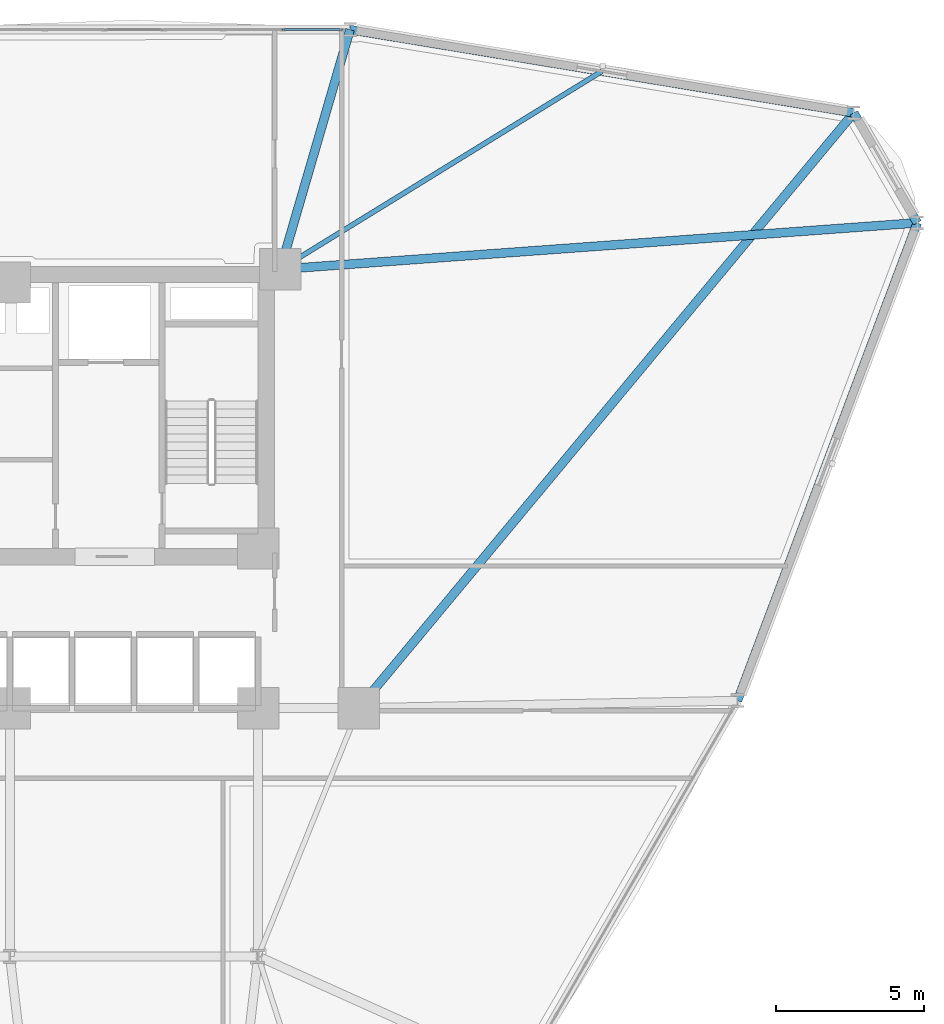
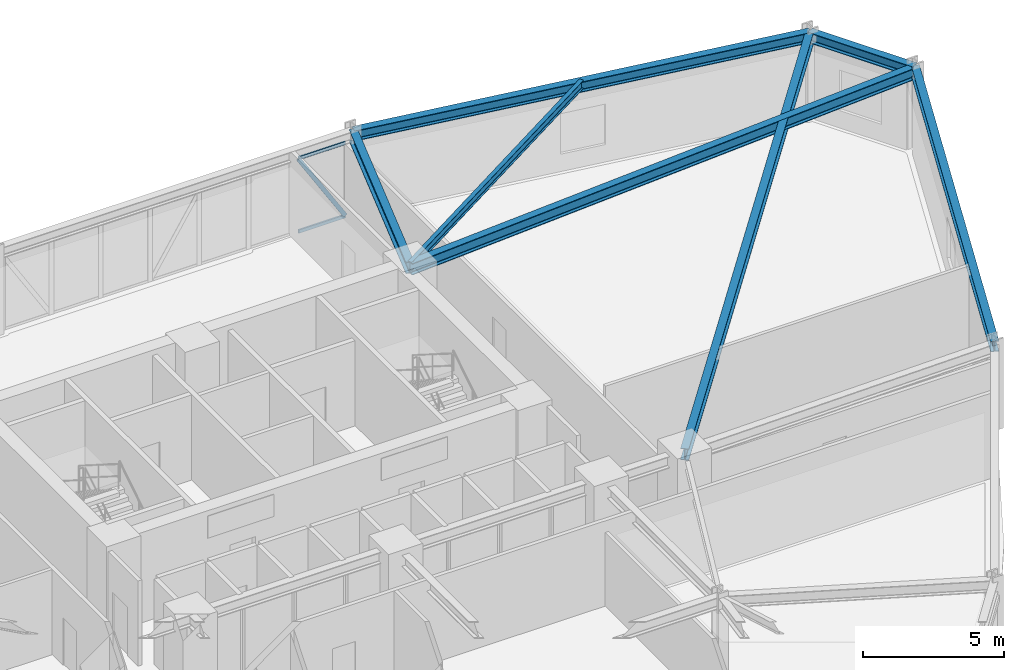
# One storey, part 11 of 20: 7 beams, 3 members, 1 element without a shape of its own.
"""IFC4 building model written with IfcOpenShell, lengths in metres."""

import ifcopenshell
import ifcopenshell.guid

model = None  # the IFC model being written
_history = None  # IfcOwnerHistory: only IFC2X3 demands one
_inside = {}  # id of a spatial element -> (the spatial element, [elements in it])
_under = {}  # id of a project, library or spatial element -> (it, [spatial elements below it])
_declared = {}  # id of a project -> (the project, [libraries it declares])
_typed = {}  # id of a type object -> (the type object, [elements of that type])
_made_of = {}  # id of a material, layer set ... -> (it, [elements and type objects made of it])


def new_model(schema):
    """Start an empty IFC model of exactly this schema.

    Asked for "IFC4X3", IfcOpenShell would pick the latest addendum, in which some entities
    have other attributes; the version numbers below select the first issue.
    IFC2X3 requires an IfcOwnerHistory on every rooted entity: one is made here for all.
    """
    global model, _history
    if schema == "IFC4X3":
        model = ifcopenshell.file(schema_version=(4, 3, 0, 0))
    else:
        model = ifcopenshell.file(schema=schema)
    _inside.clear()
    _under.clear()
    _declared.clear()
    _typed.clear()
    _made_of.clear()
    _history = None
    if model.schema == "IFC2X3":
        org = make("IfcOrganization", Name="unknown")
        user = make(
            "IfcPersonAndOrganization",
            ThePerson=make("IfcPerson", FamilyName="unknown"),
            TheOrganization=org,
        )
        app = make(
            "IfcApplication",
            ApplicationDeveloper=org,
            Version="unknown",
            ApplicationFullName="unknown",
            ApplicationIdentifier="unknown",
        )
        _history = make(
            "IfcOwnerHistory",
            OwningUser=user,
            OwningApplication=app,
            ChangeAction="ADDED",
            CreationDate=0,
        )
    return model


def make(cls, **values):
    """One entity of the class cls with the attributes given. An attribute that is None is left unset."""
    return model.create_entity(
        cls, **{name: value for name, value in values.items() if value is not None}
    )


def rooted(cls, **values):
    """An entity with a GlobalId (a new one), such as an element, a storey or a relation."""
    return make(cls, GlobalId=ifcopenshell.guid.new(), OwnerHistory=_history, **values)


def si_unit(unit_type, name, prefix=None):
    """IfcSIUnit, for example si_unit("LENGTHUNIT", "METRE", prefix="MILLI")."""
    return make("IfcSIUnit", UnitType=unit_type, Prefix=prefix, Name=name)


def derived_unit(unit_type, elements):
    """IfcDerivedUnit: a product of units, each with its exponent."""
    return make(
        "IfcDerivedUnit",
        Elements=[
            make("IfcDerivedUnitElement", Unit=unit, Exponent=power)
            for unit, power in elements
        ],
        UnitType=unit_type,
    )


def assignment(units):
    """IfcUnitAssignment: the units of a project."""
    return None if units is None else make("IfcUnitAssignment", Units=units)


def point(xyz):
    """IfcCartesianPoint."""
    return None if xyz is None else make("IfcCartesianPoint", Coordinates=xyz)


def direction(xyz):
    """IfcDirection."""
    return None if xyz is None else make("IfcDirection", DirectionRatios=xyz)


def frame(location, z_axis=None, x_axis=None):
    """IfcAxis2Placement3D, a coordinate frame: its origin and axes. An axis left out is left unset."""
    return make(
        "IfcAxis2Placement3D",
        Location=point(location),
        Axis=direction(z_axis),
        RefDirection=direction(x_axis),
    )


def frame_2d(location, x_axis=None):
    """IfcAxis2Placement2D, a coordinate frame in the plane: its origin and x axis."""
    return make(
        "IfcAxis2Placement2D", Location=point(location), RefDirection=direction(x_axis)
    )


def origin():
    """The frame at (0, 0, 0) with its axes left unset."""
    return frame((0.0, 0.0, 0.0))


def origin_2d():
    """The frame at (0, 0) in the plane with its x axis left unset."""
    return frame_2d((0.0, 0.0))


def place(relative_to, where):
    """IfcLocalPlacement: puts the frame where relative to a parent placement (None: the world)."""
    return make(
        "IfcLocalPlacement", PlacementRelTo=relative_to, RelativePlacement=where
    )


def context(
    kind, dimensions, precision=None, world=None, true_north=None, identifier=None
):
    """IfcGeometricRepresentationContext, for example the 3D "Model" context."""
    return make(
        "IfcGeometricRepresentationContext",
        ContextIdentifier=identifier,
        ContextType=kind,
        CoordinateSpaceDimension=dimensions,
        Precision=precision,
        WorldCoordinateSystem=world,
        TrueNorth=true_north,
    )


def subcontext(parent, identifier, kind, view, scale=None):
    """IfcGeometricRepresentationSubContext, for example "Body" below "Model"."""
    return make(
        "IfcGeometricRepresentationSubContext",
        ContextIdentifier=identifier,
        ContextType=kind,
        ParentContext=parent,
        TargetScale=scale,
        TargetView=view,
    )


def project(units=None, contexts=None):
    """IfcProject with its units and contexts."""
    return rooted(
        "IfcProject",
        Name="project",
        RepresentationContexts=contexts,
        UnitsInContext=assignment(units),
    )


def spatial(cls, under=None, at=None, **own):
    """A site, building, storey or space (cls), placed at a placement, below another one or the project."""
    s = rooted(cls, ObjectPlacement=at, **own)
    if under is not None:
        _under.setdefault(under.id(), (under, []))[1].append(s)
    return s


def profile(cls, at=None, kind="AREA", **sizes):
    """A parametric profile (cls). Its sizes go by their IFC names, for example OverallWidth=200.0."""
    return make(cls, ProfileType=kind, Position=at, **sizes)


def hollow_rectangle(**sizes):
    """IfcRectangleHollowProfileDef."""
    return profile("IfcRectangleHollowProfileDef", **sizes)


def i_section(**sizes):
    """IfcIShapeProfileDef."""
    return profile("IfcIShapeProfileDef", **sizes)


def extrude(swept, where, along, depth):
    """IfcExtrudedAreaSolid: the profile swept, set in the frame where, extruded along a direction by depth."""
    return make(
        "IfcExtrudedAreaSolid",
        SweptArea=swept,
        Position=where,
        ExtrudedDirection=direction(along),
        Depth=depth,
    )


def shape(context_of_items, identifier, shape_type, items):
    """IfcShapeRepresentation: the items that make up one representation, for example the "Body"."""
    return make(
        "IfcShapeRepresentation",
        ContextOfItems=context_of_items,
        RepresentationIdentifier=identifier,
        RepresentationType=shape_type,
        Items=items,
    )


def source(mapping_origin, context_of_items, identifier, shape_type, items):
    """IfcRepresentationMap: a shape defined once, which mapped items show again and again."""
    return make(
        "IfcRepresentationMap",
        MappingOrigin=mapping_origin,
        MappedRepresentation=shape(context_of_items, identifier, shape_type, items),
    )


def transform(
    local_origin,
    x_axis=None,
    y_axis=None,
    z_axis=None,
    scale=None,
    scale2=None,
    scale3=None,
    uniform=True,
):
    """IfcCartesianTransformationOperator3D, or its non-uniform kind. x_axis, y_axis, z_axis: its Axis1, 2, 3."""
    if uniform:
        return make(
            "IfcCartesianTransformationOperator3D",
            Axis1=direction(x_axis),
            Axis2=direction(y_axis),
            LocalOrigin=point(local_origin),
            Scale=scale,
            Axis3=direction(z_axis),
        )
    return make(
        "IfcCartesianTransformationOperator3DnonUniform",
        Axis1=direction(x_axis),
        Axis2=direction(y_axis),
        LocalOrigin=point(local_origin),
        Scale=scale,
        Axis3=direction(z_axis),
        Scale2=scale2,
        Scale3=scale3,
    )


def mapped(mapping_source, mapping_target):
    """IfcMappedItem: shows the shape of a source again, moved by a transform."""
    return make(
        "IfcMappedItem", MappingSource=mapping_source, MappingTarget=mapping_target
    )


def material(Name=None, Category=None):
    """IfcMaterial."""
    return make("IfcMaterial", Name=Name, Category=Category)


def layer(
    of_material, thickness, ventilated=None, Name=None, Category=None, Priority=None
):
    """IfcMaterialLayer: one layer of a wall or slab, of a material (None: an air gap)."""
    return make(
        "IfcMaterialLayer",
        Material=of_material,
        LayerThickness=thickness,
        IsVentilated=ventilated,
        Name=Name,
        Category=Category,
        Priority=Priority,
    )


def layer_set(layers, Name=None):
    """IfcMaterialLayerSet."""
    return make("IfcMaterialLayerSet", MaterialLayers=layers, LayerSetName=Name)


def material_profile(
    of_material, cross_section, Name=None, Category=None, Priority=None
):
    """IfcMaterialProfile: a cross section and its material."""
    return make(
        "IfcMaterialProfile",
        Name=Name,
        Material=of_material,
        Profile=cross_section,
        Priority=Priority,
        Category=Category,
    )


def profile_set(profiles, Name=None, composite=None):
    """IfcMaterialProfileSet."""
    return make(
        "IfcMaterialProfileSet",
        Name=Name,
        MaterialProfiles=profiles,
        CompositeProfile=composite,
    )


def made_of(thing, what):
    """Note that an element or type object is made of a material, layer set ...; save() writes the relation."""
    if what is not None:
        _made_of.setdefault(what.id(), (what, []))[1].append(thing)
    return thing


def type_object(cls, material=None, **own):
    """A type object (cls), such as IfcWallType, which elements share."""
    return made_of(rooted(cls, **own), material)


def element(
    cls,
    number,
    at=None,
    inside=None,
    cuts=None,
    type_object=None,
    material=None,
    context=None,
    identifier="Body",
    shape_type=None,
    held_by="IfcProductDefinitionShape",
    body=None,
    shapes=None,
    **own,
):
    """One element of the class cls, such as IfcWall. Its Tag is "e" and its number.

    at: its placement. inside: the storey or other place that contains it. cuts: it is an
    opening in that element (IfcRelVoidsElement). A single representation is given by context,
    identifier, shape_type and body (its items); several are given by shapes. held_by: the class
    of the entity that holds the representations. save() writes the other relations.
    """
    e = rooted(cls, Tag="e%d" % number, ObjectPlacement=at, **own)
    if body is not None:
        shapes = [shape(context, identifier, shape_type, body)]
    if shapes is not None:
        e.Representation = make(held_by, Representations=shapes)
    if inside is not None:
        _inside.setdefault(inside.id(), (inside, []))[1].append(e)
    if cuts is not None:
        rooted(
            "IfcRelVoidsElement", RelatingBuildingElement=cuts, RelatedOpeningElement=e
        )
    if type_object is not None:
        _typed.setdefault(type_object.id(), (type_object, []))[1].append(e)
    return made_of(e, material)


def aggregate(whole, parts):
    """IfcRelAggregates: a whole, such as a stair, and the parts it consists of."""
    return rooted("IfcRelAggregates", RelatingObject=whole, RelatedObjects=parts)


def save(model, path):
    """Write the relations noted so far, then the file.

    IfcRelAggregates (storeys below a building ...), IfcRelContainedInSpatialStructure (elements
    in a storey), IfcRelDefinesByType, IfcRelAssociatesMaterial and IfcRelDeclares: one each for
    every whole, place, type object, material and project.
    """
    for whole, parts in _under.values():
        aggregate(whole, parts)
    for where, things in _inside.values():
        rooted(
            "IfcRelContainedInSpatialStructure",
            RelatedElements=things,
            RelatingStructure=where,
        )
    for kind, things in _typed.values():
        rooted("IfcRelDefinesByType", RelatedObjects=things, RelatingType=kind)
    for what, things in _made_of.values():
        rooted("IfcRelAssociatesMaterial", RelatedObjects=things, RelatingMaterial=what)
    for by, libraries in _declared.values():
        rooted("IfcRelDeclares", RelatingContext=by, RelatedDefinitions=libraries)
    model.write(path)


model = new_model("IFC4")

# Units and contexts
model_context = context("Model", 3, precision=1e-05, world=origin(), true_north=direction((0.0, 1.0)))
body_context = subcontext(model_context, "Body", "Model", "MODEL_VIEW")
ifc_project = project(units=[si_unit("LENGTHUNIT", "METRE"), si_unit("AREAUNIT", "SQUARE_METRE"), si_unit("VOLUMEUNIT", "CUBIC_METRE"), si_unit("PLANEANGLEUNIT", "RADIAN"), si_unit("MASSUNIT", "GRAM", prefix="KILO"), derived_unit("THERMALTRANSMITTANCEUNIT", [(si_unit("POWERUNIT", "WATT"), 1), (si_unit("LENGTHUNIT", "METRE"), -2), (si_unit("THERMODYNAMICTEMPERATUREUNIT", "KELVIN"), -1)])], contexts=[model_context])

# Site, building, storey
site_placement = place(None, origin())
site = spatial("IfcSite", under=ifc_project, at=site_placement, CompositionType="ELEMENT")
building_placement = place(site_placement, origin())
building = spatial("IfcBuilding", under=site, at=building_placement, Name="Korsvarv Bourse and Concert Hall", CompositionType="ELEMENT")
storey_placement = place(building_placement, frame((0.0, 0.0, 91.199951171875)))
storey = spatial("IfcBuildingStorey", under=building, at=storey_placement, Name="L22", CompositionType="ELEMENT", Elevation=91.199951171875)

# Beams
ifc_material_1 = material(Name="Steel S355", Category="steel")
ifc_material_profile_1 = material_profile(ifc_material_1, i_section(OverallWidth=0.300048828125, OverallDepth=0.449951171875, WebThickness=0.013916015625, FlangeThickness=0.02587890625, FilletRadius=0.02099609375, at=origin_2d()), Name="HEB 450")
ifc_profile_set_1 = profile_set([ifc_material_profile_1], Name="Steel S355")
beam_type_1 = type_object("IfcBeamType", Name="BM-HEB450", PredefinedType="SPANDREL", material=ifc_profile_set_1)
shared_shape_1 = source(origin(), body_context, "Body", "SweptSolid", [
    extrude(i_section(OverallWidth=0.300048828125, OverallDepth=0.449951171875, WebThickness=0.013916015625, FlangeThickness=0.02587890625, FilletRadius=0.02099609375, at=origin_2d()), origin(), (0.0, 0.0, 1.0), 4.301025390625),
])
beam_1_placement = place(storey_placement, frame((66.705078125, 48.819580078125, 3.455078125), z_axis=(-0.50004020135, 0.86600219228, 0.0), x_axis=(-0.86600219228, -0.50004020135, 0.0)))
element("IfcBeam", 1, at=beam_1_placement, inside=storey, type_object=beam_type_1, Name="L22 beam B-08", PredefinedType="SPANDREL", context=body_context, shape_type="MappedRepresentation", body=[
    mapped(shared_shape_1, transform((0.0, 0.0, 0.0), scale=1.0)),
])
shared_shape_2 = source(origin(), body_context, "Body", "SweptSolid", [
    extrude(i_section(OverallWidth=0.300048828125, OverallDepth=0.449951171875, WebThickness=0.013916015625, FlangeThickness=0.02587890625, FilletRadius=0.02099609375, at=origin_2d()), origin(), (0.0, 0.0, 1.0), 17.276123046875),
])
for number, where, z_axis, x_axis, name in (
    (2, (64.554443359375, 52.544189453125, 3.455078125), (-0.986647870676, 0.162867981173, 0.0), (-0.162867981173, -0.986647870676, 0.0), "L22 beam B-08"),
    (3, (60.618896484375, 32.65087890625, 3.455078125), (0.352286219309, 0.935892312013, 0.0), (-0.935892312013, 0.352286219309, 0.0), "L22 beam B-08"),
):
    element("IfcBeam", number, at=place(storey_placement, frame(where, z_axis=z_axis, x_axis=x_axis)), inside=storey, type_object=beam_type_1, Name=name, PredefinedType="SPANDREL", context=body_context, shape_type="MappedRepresentation", body=[
        mapped(shared_shape_2, transform((0.0, 0.0, 0.0), scale=1.0)),
    ])
ifc_material_profile_2 = material_profile(ifc_material_1, i_section(OverallWidth=0.300048828125, OverallDepth=0.5, WebThickness=0.014404296875, FlangeThickness=0.028076171875, FilletRadius=0.02392578125, at=origin_2d()), Name="HEB 500")
ifc_profile_set_2 = profile_set([ifc_material_profile_2], Name="Steel S355")
beam_type_2 = type_object("IfcBeamType", Name="BM-HEB500", PredefinedType="BEAM", material=ifc_profile_set_2)
shared_shape_3 = source(origin(), body_context, "Body", "SweptSolid", [
    extrude(i_section(OverallWidth=0.300048828125, OverallDepth=0.5, WebThickness=0.014404296875, FlangeThickness=0.028076171875, FilletRadius=0.02392578125, at=origin_2d()), origin(), (0.0, 0.0, 1.0), 21.6123046875),
])
beam_2_placement = place(storey_placement, frame((66.705078125, 48.819580078125, 3.429931640625), z_axis=(-0.997359349421, -0.072624569684, 0.0), x_axis=(0.072624569684, -0.997359349421, 0.0)))
element("IfcBeam", 4, at=beam_2_placement, inside=storey, type_object=beam_type_2, Name="L22 beam B-07", PredefinedType="BEAM", context=body_context, shape_type="MappedRepresentation", body=[
    mapped(shared_shape_3, transform((0.0, 0.0, 0.0), scale=1.0)),
])
shared_shape_4 = source(origin(), body_context, "Body", "SweptSolid", [
    extrude(i_section(OverallWidth=0.300048828125, OverallDepth=0.5, WebThickness=0.014404296875, FlangeThickness=0.028076171875, FilletRadius=0.02392578125, at=origin_2d()), origin(), (0.0, 0.0, 1.0), 26.201171875),
])
beam_3_placement = place(storey_placement, frame((64.554443359375, 52.544189453125, 3.429931640625), z_axis=(-0.639451811681, -0.768831178178, 0.0), x_axis=(0.768831178178, -0.639451811681, 0.0)))
element("IfcBeam", 5, at=beam_3_placement, inside=storey, type_object=beam_type_2, Name="L22 beam B-07", PredefinedType="BEAM", context=body_context, shape_type="MappedRepresentation", body=[
    mapped(shared_shape_4, transform((0.0, 0.0, 0.0), scale=1.0)),
])
shared_shape_5 = source(origin(), body_context, "Body", "SweptSolid", [
    extrude(i_section(OverallWidth=0.300048828125, OverallDepth=0.5, WebThickness=0.014404296875, FlangeThickness=0.028076171875, FilletRadius=0.02392578125, at=origin_2d()), origin(), (0.0, 0.0, 1.0), 8.444091796875),
])
beam_4_placement = place(storey_placement, frame((47.509033203125, 55.35791015625, 3.429931640625), z_axis=(-0.279380430123, -0.960180490983, 0.0), x_axis=(0.960180490983, -0.279380430123, 0.0)))
element("IfcBeam", 6, at=beam_4_placement, inside=storey, type_object=beam_type_2, Name="L22 beam B-07", PredefinedType="BEAM", context=body_context, shape_type="MappedRepresentation", body=[
    mapped(shared_shape_5, transform((0.0, 0.0, 0.0), scale=1.0)),
])
ifc_material_profile_3 = material_profile(ifc_material_1, i_section(OverallWidth=0.169921875, OverallDepth=0.360107421875, WebThickness=0.008056640625, FlangeThickness=0.0126953125, FilletRadius=0.01806640625, at=origin_2d()), Name="IPE 360")
ifc_profile_set_3 = profile_set([ifc_material_profile_3], Name="Steel S355")
beam_type_3 = type_object("IfcBeamType", Name="BM-IPE360", PredefinedType="JOIST", material=ifc_profile_set_3)
shared_shape_6 = source(origin(), body_context, "Body", "SweptSolid", [
    extrude(i_section(OverallWidth=0.169921875, OverallDepth=0.360107421875, WebThickness=0.008056640625, FlangeThickness=0.0126953125, FilletRadius=0.01806640625, at=origin_2d()), origin(), (0.0, 0.0, 1.0), 12.779541015625),
])
beam_5_placement = place(storey_placement, frame((56.03173828125, 53.950927734375, 3.5), z_axis=(-0.851504135889, -0.524347886964, 0.0), x_axis=(0.524347886964, -0.851504135889, 0.0)))
element("IfcBeam", 7, at=beam_5_placement, inside=storey, type_object=beam_type_3, Name="L22 beam J-06", PredefinedType="JOIST", context=body_context, shape_type="MappedRepresentation", body=[
    mapped(shared_shape_6, transform((0.0, 0.0, 0.0), scale=1.0)),
])

# Curtain wall, members
ifc_material_2 = material(Name="Anodised aluminium and triple low-E glazing", Category="glass")
ifc_layer = layer(ifc_material_2, 0.219970703125)
ifc_layer_set = layer_set([ifc_layer], Name="Anodised aluminium and triple low-E glazing")
curtain_wall_type = type_object("IfcCurtainWallType", Name="CW-SYS-1", PredefinedType="NOTDEFINED", material=ifc_layer_set)
curtain_wall_placement = place(storey_placement, origin())
curtain_wall = element("IfcCurtainWall", 8, at=curtain_wall_placement, inside=storey, type_object=curtain_wall_type, Name="L22 CW1 curtain wall CW-L22-F03", PredefinedType="NOTDEFINED")
ifc_material_3 = material(Name="Extruded aluminium EN AW-6063 T66", Category="aluminium")
ifc_material_profile_4 = material_profile(ifc_material_3, hollow_rectangle(XDim=0.06494140625, YDim=0.139892578125, WallThickness=0.00390625, at=origin_2d()), Name="ALU-T 65x140")
ifc_profile_set_4 = profile_set([ifc_material_profile_4], Name="Extruded aluminium EN AW-6063 T66")
member_type_1 = type_object("IfcMemberType", Name="CWT-140", PredefinedType="USERDEFINED", material=ifc_profile_set_4)
shared_shape_7 = source(origin(), body_context, "Body", "SweptSolid", [
    extrude(hollow_rectangle(XDim=0.06494140625, YDim=0.139892578125, WallThickness=0.00390625, at=origin_2d()), origin(), (0.0, 0.0, 1.0), 1.908447265625),
])
member_1_placement = place(storey_placement, frame((47.177001953125, 55.35791015625, 0.032470703125), z_axis=(-1.0, 0.0, 0.0), x_axis=(0.0, -1.0, 0.0)))
member_1 = element("IfcMember", 9, at=member_1_placement, type_object=member_type_1, Name="CW1 transom 1.1", ObjectType="TRANSOM", PredefinedType="USERDEFINED", context=body_context, shape_type="MappedRepresentation", body=[
    mapped(shared_shape_7, transform((0.0, 0.0, 0.0), scale=1.0)),
])
member_2_placement = place(storey_placement, frame((47.177001953125, 55.35791015625, 3.197509765625), z_axis=(-1.0, 0.0, 0.0), x_axis=(0.0, -1.0, 0.0)))
member_2 = element("IfcMember", 10, at=member_2_placement, type_object=member_type_1, Name="CW1 transom 1.2", ObjectType="TRANSOM", PredefinedType="USERDEFINED", context=body_context, shape_type="MappedRepresentation", body=[
    mapped(shared_shape_7, transform((0.0, 0.0, 0.0), scale=1.0)),
])
ifc_material_profile_5 = material_profile(ifc_material_3, hollow_rectangle(XDim=0.06494140625, YDim=0.1650390625, WallThickness=0.0048828125, at=origin_2d()), Name="ALU-M 65x165")
ifc_profile_set_5 = profile_set([ifc_material_profile_5], Name="Extruded aluminium EN AW-6063 T66")
member_type_2 = type_object("IfcMemberType", Name="CWM-165", PredefinedType="MULLION", material=ifc_profile_set_5)
shared_shape_8 = source(origin(), body_context, "Body", "SweptSolid", [
    extrude(hollow_rectangle(XDim=0.06494140625, YDim=0.1650390625, WallThickness=0.0048828125, at=origin_2d()), origin(), (0.0, 0.0, 1.0), 3.640380859375),
])
member_3_placement = place(storey_placement, frame((47.177001953125, 55.35791015625, 0.06494140625), z_axis=(-0.52423586326, 0.0, 0.851573108824), x_axis=(0.0, -1.0, 0.0)))
member_3 = element("IfcMember", 11, at=member_3_placement, type_object=member_type_2, Name="CW1 diagonal mullion 1", PredefinedType="MULLION", context=body_context, shape_type="MappedRepresentation", body=[
    mapped(shared_shape_8, transform((0.0, 0.0, 0.0), scale=1.0)),
])
aggregate(curtain_wall, [member_1, member_2, member_3])

save(model, "model.ifc")
